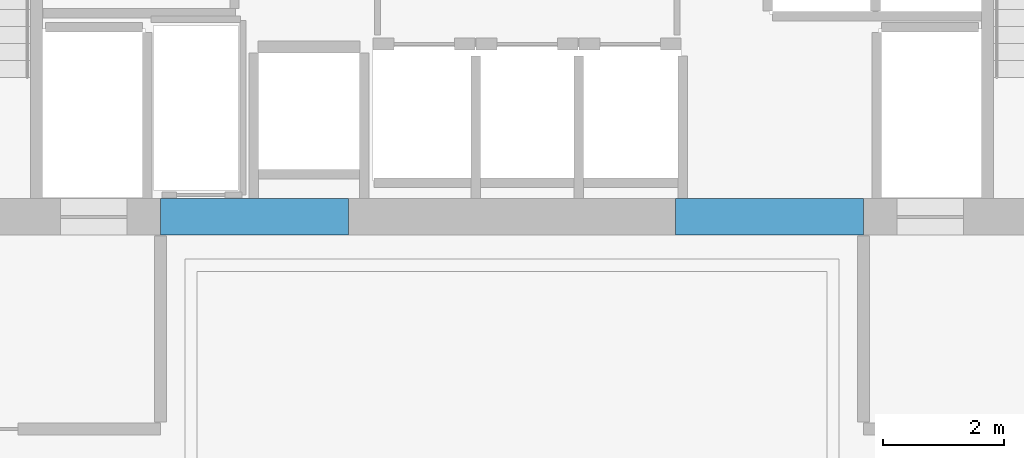
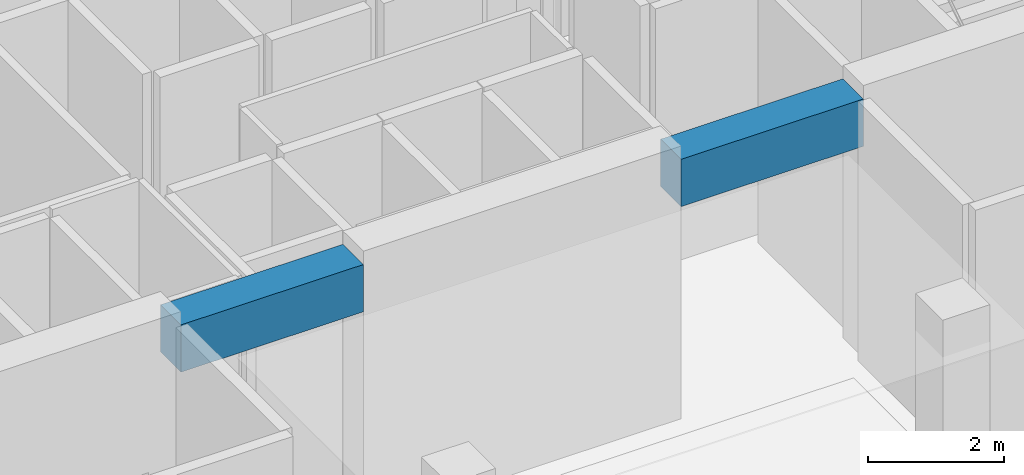
# One storey, part 17 of 28: 2 beams.
"""IFC4 building model written with IfcOpenShell, lengths in metres."""

import ifcopenshell
import ifcopenshell.guid

model = None  # the IFC model being written
_history = None  # IfcOwnerHistory: only IFC2X3 demands one
_inside = {}  # id of a spatial element -> (the spatial element, [elements in it])
_under = {}  # id of a project, library or spatial element -> (it, [spatial elements below it])
_declared = {}  # id of a project -> (the project, [libraries it declares])
_typed = {}  # id of a type object -> (the type object, [elements of that type])
_made_of = {}  # id of a material, layer set ... -> (it, [elements and type objects made of it])


def new_model(schema):
    """Start an empty IFC model of exactly this schema.

    Asked for "IFC4X3", IfcOpenShell would pick the latest addendum, in which some entities
    have other attributes; the version numbers below select the first issue.
    IFC2X3 requires an IfcOwnerHistory on every rooted entity: one is made here for all.
    """
    global model, _history
    if schema == "IFC4X3":
        model = ifcopenshell.file(schema_version=(4, 3, 0, 0))
    else:
        model = ifcopenshell.file(schema=schema)
    _inside.clear()
    _under.clear()
    _declared.clear()
    _typed.clear()
    _made_of.clear()
    _history = None
    if model.schema == "IFC2X3":
        org = make("IfcOrganization", Name="unknown")
        user = make(
            "IfcPersonAndOrganization",
            ThePerson=make("IfcPerson", FamilyName="unknown"),
            TheOrganization=org,
        )
        app = make(
            "IfcApplication",
            ApplicationDeveloper=org,
            Version="unknown",
            ApplicationFullName="unknown",
            ApplicationIdentifier="unknown",
        )
        _history = make(
            "IfcOwnerHistory",
            OwningUser=user,
            OwningApplication=app,
            ChangeAction="ADDED",
            CreationDate=0,
        )
    return model


def make(cls, **values):
    """One entity of the class cls with the attributes given. An attribute that is None is left unset."""
    return model.create_entity(
        cls, **{name: value for name, value in values.items() if value is not None}
    )


def rooted(cls, **values):
    """An entity with a GlobalId (a new one), such as an element, a storey or a relation."""
    return make(cls, GlobalId=ifcopenshell.guid.new(), OwnerHistory=_history, **values)


def si_unit(unit_type, name, prefix=None):
    """IfcSIUnit, for example si_unit("LENGTHUNIT", "METRE", prefix="MILLI")."""
    return make("IfcSIUnit", UnitType=unit_type, Prefix=prefix, Name=name)


def assignment(units):
    """IfcUnitAssignment: the units of a project."""
    return None if units is None else make("IfcUnitAssignment", Units=units)


def point(xyz):
    """IfcCartesianPoint."""
    return None if xyz is None else make("IfcCartesianPoint", Coordinates=xyz)


def direction(xyz):
    """IfcDirection."""
    return None if xyz is None else make("IfcDirection", DirectionRatios=xyz)


def frame(location, z_axis=None, x_axis=None):
    """IfcAxis2Placement3D, a coordinate frame: its origin and axes. An axis left out is left unset."""
    return make(
        "IfcAxis2Placement3D",
        Location=point(location),
        Axis=direction(z_axis),
        RefDirection=direction(x_axis),
    )


def frame_2d(location, x_axis=None):
    """IfcAxis2Placement2D, a coordinate frame in the plane: its origin and x axis."""
    return make(
        "IfcAxis2Placement2D", Location=point(location), RefDirection=direction(x_axis)
    )


def origin():
    """The frame at (0, 0, 0) with its axes left unset."""
    return frame((0.0, 0.0, 0.0))


def origin_2d():
    """The frame at (0, 0) in the plane with its x axis left unset."""
    return frame_2d((0.0, 0.0))


def place(relative_to, where):
    """IfcLocalPlacement: puts the frame where relative to a parent placement (None: the world)."""
    return make(
        "IfcLocalPlacement", PlacementRelTo=relative_to, RelativePlacement=where
    )


def context(
    kind, dimensions, precision=None, world=None, true_north=None, identifier=None
):
    """IfcGeometricRepresentationContext, for example the 3D "Model" context."""
    return make(
        "IfcGeometricRepresentationContext",
        ContextIdentifier=identifier,
        ContextType=kind,
        CoordinateSpaceDimension=dimensions,
        Precision=precision,
        WorldCoordinateSystem=world,
        TrueNorth=true_north,
    )


def subcontext(parent, identifier, kind, view, scale=None):
    """IfcGeometricRepresentationSubContext, for example "Body" below "Model"."""
    return make(
        "IfcGeometricRepresentationSubContext",
        ContextIdentifier=identifier,
        ContextType=kind,
        ParentContext=parent,
        TargetScale=scale,
        TargetView=view,
    )


def project(units=None, contexts=None):
    """IfcProject with its units and contexts."""
    return rooted(
        "IfcProject",
        Name="project",
        RepresentationContexts=contexts,
        UnitsInContext=assignment(units),
    )


def spatial(cls, under=None, at=None, **own):
    """A site, building, storey or space (cls), placed at a placement, below another one or the project."""
    s = rooted(cls, ObjectPlacement=at, **own)
    if under is not None:
        _under.setdefault(under.id(), (under, []))[1].append(s)
    return s


def profile(cls, at=None, kind="AREA", **sizes):
    """A parametric profile (cls). Its sizes go by their IFC names, for example OverallWidth=200.0."""
    return make(cls, ProfileType=kind, Position=at, **sizes)


def rectangle(**sizes):
    """IfcRectangleProfileDef."""
    return profile("IfcRectangleProfileDef", **sizes)


def extrude(swept, where, along, depth):
    """IfcExtrudedAreaSolid: the profile swept, set in the frame where, extruded along a direction by depth."""
    return make(
        "IfcExtrudedAreaSolid",
        SweptArea=swept,
        Position=where,
        ExtrudedDirection=direction(along),
        Depth=depth,
    )


def shape(context_of_items, identifier, shape_type, items):
    """IfcShapeRepresentation: the items that make up one representation, for example the "Body"."""
    return make(
        "IfcShapeRepresentation",
        ContextOfItems=context_of_items,
        RepresentationIdentifier=identifier,
        RepresentationType=shape_type,
        Items=items,
    )


def material(Name=None, Category=None):
    """IfcMaterial."""
    return make("IfcMaterial", Name=Name, Category=Category)


def material_profile(
    of_material, cross_section, Name=None, Category=None, Priority=None
):
    """IfcMaterialProfile: a cross section and its material."""
    return make(
        "IfcMaterialProfile",
        Name=Name,
        Material=of_material,
        Profile=cross_section,
        Priority=Priority,
        Category=Category,
    )


def profile_set(profiles, Name=None, composite=None):
    """IfcMaterialProfileSet."""
    return make(
        "IfcMaterialProfileSet",
        Name=Name,
        MaterialProfiles=profiles,
        CompositeProfile=composite,
    )


def made_of(thing, what):
    """Note that an element or type object is made of a material, layer set ...; save() writes the relation."""
    if what is not None:
        _made_of.setdefault(what.id(), (what, []))[1].append(thing)
    return thing


def type_object(cls, material=None, **own):
    """A type object (cls), such as IfcWallType, which elements share."""
    return made_of(rooted(cls, **own), material)


def element(
    cls,
    number,
    at=None,
    inside=None,
    cuts=None,
    type_object=None,
    material=None,
    context=None,
    identifier="Body",
    shape_type=None,
    held_by="IfcProductDefinitionShape",
    body=None,
    shapes=None,
    **own,
):
    """One element of the class cls, such as IfcWall. Its Tag is "e" and its number.

    at: its placement. inside: the storey or other place that contains it. cuts: it is an
    opening in that element (IfcRelVoidsElement). A single representation is given by context,
    identifier, shape_type and body (its items); several are given by shapes. held_by: the class
    of the entity that holds the representations. save() writes the other relations.
    """
    e = rooted(cls, Tag="e%d" % number, ObjectPlacement=at, **own)
    if body is not None:
        shapes = [shape(context, identifier, shape_type, body)]
    if shapes is not None:
        e.Representation = make(held_by, Representations=shapes)
    if inside is not None:
        _inside.setdefault(inside.id(), (inside, []))[1].append(e)
    if cuts is not None:
        rooted(
            "IfcRelVoidsElement", RelatingBuildingElement=cuts, RelatedOpeningElement=e
        )
    if type_object is not None:
        _typed.setdefault(type_object.id(), (type_object, []))[1].append(e)
    return made_of(e, material)


def aggregate(whole, parts):
    """IfcRelAggregates: a whole, such as a stair, and the parts it consists of."""
    return rooted("IfcRelAggregates", RelatingObject=whole, RelatedObjects=parts)


def save(model, path):
    """Write the relations noted so far, then the file.

    IfcRelAggregates (storeys below a building ...), IfcRelContainedInSpatialStructure (elements
    in a storey), IfcRelDefinesByType, IfcRelAssociatesMaterial and IfcRelDeclares: one each for
    every whole, place, type object, material and project.
    """
    for whole, parts in _under.values():
        aggregate(whole, parts)
    for where, things in _inside.values():
        rooted(
            "IfcRelContainedInSpatialStructure",
            RelatedElements=things,
            RelatingStructure=where,
        )
    for kind, things in _typed.values():
        rooted("IfcRelDefinesByType", RelatedObjects=things, RelatingType=kind)
    for what, things in _made_of.values():
        rooted("IfcRelAssociatesMaterial", RelatedObjects=things, RelatingMaterial=what)
    for by, libraries in _declared.values():
        rooted("IfcRelDeclares", RelatingContext=by, RelatedDefinitions=libraries)
    model.write(path)


model = new_model("IFC4")

# Units and contexts
model_context = context("Model", 3, precision=1e-05, world=origin(), true_north=direction((0.0, 1.0)))
body_context = subcontext(model_context, "Body", "Model", "MODEL_VIEW")
ifc_project = project(units=[si_unit("LENGTHUNIT", "METRE"), si_unit("AREAUNIT", "SQUARE_METRE"), si_unit("VOLUMEUNIT", "CUBIC_METRE"), si_unit("PLANEANGLEUNIT", "RADIAN"), si_unit("MASSUNIT", "GRAM", prefix="KILO")], contexts=[model_context])

# Site, building, storey
site_placement = place(None, origin())
site = spatial("IfcSite", under=ifc_project, at=site_placement, CompositionType="ELEMENT")
building_placement = place(site_placement, origin())
building = spatial("IfcBuilding", under=site, at=building_placement, Name="Maruvema Waterfront Hotel and Observation Tower", CompositionType="ELEMENT")
storey_placement = place(building_placement, frame((0.0, 0.0, 234.5)))
storey = spatial("IfcBuildingStorey", under=building, at=storey_placement, Name="L57", CompositionType="ELEMENT", Elevation=234.5)

# Beams
ifc_material = material(Name="Concrete C60/75", Category="concrete")
ifc_material_profile = material_profile(ifc_material, rectangle(XDim=0.60009765625, YDim=0.85009765625, at=origin_2d()), Name="CB600x850")
ifc_profile_set = profile_set([ifc_material_profile], Name="Concrete C60/75")
beam_type = type_object("IfcBeamType", Name="Core Coupling Lintel Beam CB600x850", PredefinedType="LINTEL", material=ifc_profile_set)
for number, where, z_axis, x_axis, name in (
    (1, (32.0, 41.699951171875, 4.235107421875), (1.0, 0.0, 0.0), (0.0, 1.0, 0.0), "L57 Core Coupling Lintel Beam West"),
    (2, (40.5, 41.699951171875, 4.235107421875), (1.0, 0.0, 0.0), (0.0, 1.0, 0.0), "L57 Core Coupling Lintel Beam East"),
):
    element("IfcBeam", number, at=place(storey_placement, frame(where, z_axis=z_axis, x_axis=x_axis)), inside=storey, type_object=beam_type, Name=name, PredefinedType="LINTEL", context=body_context, shape_type="SweptSolid", body=[
        extrude(rectangle(XDim=0.60009765625, YDim=0.85009765625, at=origin_2d()), origin(), (0.0, 0.0, 1.0), 3.10009765625),
    ])

save(model, "model.ifc")
